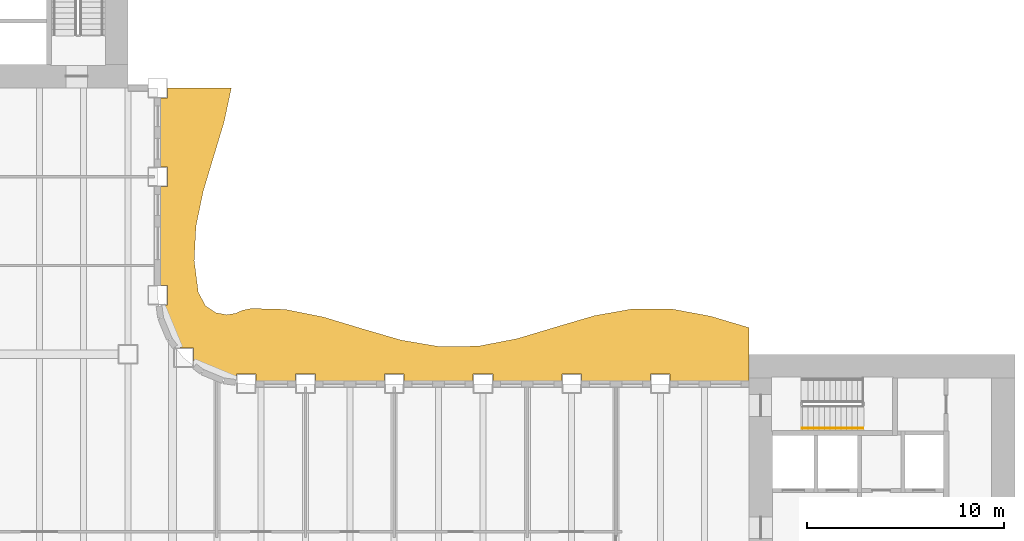
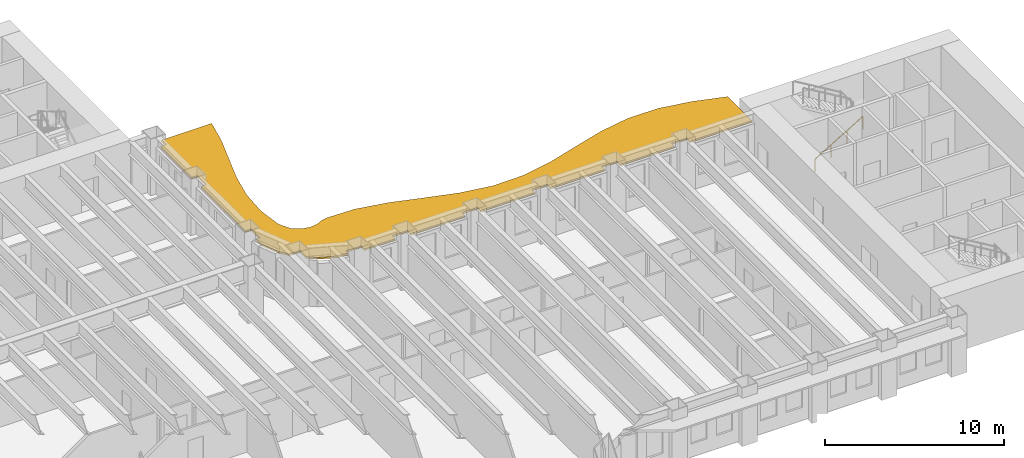
# One storey, part 14 of 16: 1 railing, 1 shading device.
"""IFC4 building model written with IfcOpenShell, lengths in metres."""

from ifc_helpers import new_model, si_unit, direction, frame, origin, origin_2d, place, context, subcontext, project, spatial, polyline, rectangle, outline, extrude, material, layer, layer_set, type_object, element, save


model = new_model("IFC4")

# Units and contexts
model_context = context("Model", 3, precision=1e-05, world=origin(), true_north=direction((0.0, 1.0)))
body_context = subcontext(model_context, "Body", "Model", "MODEL_VIEW")
ifc_project = project(units=[si_unit("LENGTHUNIT", "METRE"), si_unit("AREAUNIT", "SQUARE_METRE"), si_unit("VOLUMEUNIT", "CUBIC_METRE"), si_unit("PLANEANGLEUNIT", "RADIAN"), si_unit("MASSUNIT", "GRAM", prefix="KILO")], contexts=[model_context])

# Site, building, storey
site_placement = place(None, origin())
site = spatial("IfcSite", under=ifc_project, at=site_placement, CompositionType="ELEMENT")
building_placement = place(site_placement, origin())
building = spatial("IfcBuilding", under=site, at=building_placement, Name="Sennacour Bend Tower", CompositionType="ELEMENT")
storey_placement = place(building_placement, frame((0.0, 0.0, 91.0)))
storey = spatial("IfcBuildingStorey", under=building, at=storey_placement, Name="L20", CompositionType="ELEMENT", Elevation=91.0)

# Railing
ifc_material_1 = material(Name="Stainless steel", Category="steel")
railing_type = type_object("IfcRailingType", Name="RL-HANDRAIL-900", PredefinedType="HANDRAIL", material=ifc_material_1)
railing_placement = place(storey_placement, frame((56.699951171875, 18.75, 0.166748046875)))
element("IfcRailing", 1, at=railing_placement, inside=storey, type_object=railing_type, Name="L20 SA2 stair handrail 1", PredefinedType="HANDRAIL", context=body_context, shape_type="SweptSolid", body=[
    extrude(rectangle(XDim=0.048095703125, YDim=0.048095703125, at=origin_2d()), frame((0.0, 0.0, 0.8759765625), z_axis=(0.859308565015, 0.0, 0.511457515432), x_axis=(0.0, 1.0, 0.0)), (0.0, 0.0, 1.0), 3.58447265625),
    extrude(rectangle(XDim=0.0419921875, YDim=0.0419921875, at=origin_2d()), origin(), (0.0, 0.0, 1.0), 0.851806640625),
    extrude(rectangle(XDim=0.0419921875, YDim=0.0419921875, at=origin_2d()), frame((1.026611328125, 0.0, 0.611083984375)), (0.0, 0.0, 1.0), 0.851806640625),
    extrude(rectangle(XDim=0.0419921875, YDim=0.0419921875, at=origin_2d()), frame((2.053466796875, 0.0, 1.22216796875)), (0.0, 0.0, 1.0), 0.851806640625),
    extrude(rectangle(XDim=0.0419921875, YDim=0.0419921875, at=origin_2d()), frame((3.080078125, 0.0, 1.833251953125)), (0.0, 0.0, 1.0), 0.851806640625),
])

# Shading device
ifc_material_2 = material(Name="Bronze anodised aluminium", Category="aluminium")
ifc_layer = layer(ifc_material_2, 0.1201171875, Name="Bronze anodised aluminium", Category="aluminium")
ifc_layer_set = layer_set([ifc_layer], Name="Bronze anodised aluminium")
shading_device_type = type_object("IfcShadingDeviceType", Name="SUNSHADE BAND WAVE", PredefinedType="USERDEFINED", material=ifc_layer_set)
shading_device_placement = place(storey_placement, frame((0.0, 0.0, 3.033935546875)))
element("IfcShadingDevice", 2, at=shading_device_placement, inside=storey, type_object=shading_device_type, Name="Sunshade band L20 concave faces", ObjectType="SUNSHADE", PredefinedType="USERDEFINED", context=body_context, shape_type="SweptSolid", body=[
    extrude(outline(polyline([(54.0, 21.14990234375), (50.0, 21.14990234375), (50.0, 21.5), (49.0, 21.5), (49.0, 21.14990234375), (45.5, 21.14990234375), (45.5, 21.5), (44.5, 21.5), (44.5, 21.14990234375), (41.0, 21.14990234375), (41.0, 21.5), (40.0, 21.5), (40.0, 21.14990234375), (36.5, 21.14990234375), (36.5, 21.5), (35.5, 21.5), (35.5, 21.14990234375), (32.0, 21.14990234375), (32.0, 21.5), (31.0, 21.5), (31.0, 21.14990234375), (29.0, 21.14990234375), (29.0, 21.5), (28.0, 21.5), (28.0, 21.217041015625), (27.37451171875, 21.299560546875), (26.32568359375, 21.73388671875), (25.818115234375, 22.123291015625), (25.818115234375, 22.818115234375), (25.123291015625, 22.818115234375), (24.73388671875, 23.32568359375), (24.299560546875, 24.37451171875), (24.217041015625, 25.0), (24.5, 25.0), (24.5, 26.0), (24.14990234375, 26.0), (24.14990234375, 31.0), (24.5, 31.0), (24.5, 32.0), (24.14990234375, 32.0), (24.14990234375, 35.5), (24.5, 35.5), (24.5, 36.0), (27.738525390625, 36.0), (27.36328125, 34.25), (26.83349609375, 32.5), (26.308837890625, 30.75), (25.947021484375, 29.0), (25.856201171875, 27.25), (26.064208984375, 25.63525390625), (26.4365234375, 24.947021484375), (26.95458984375, 24.60791015625), (27.50244140625, 24.50244140625), (27.966796875, 24.576416015625), (28.293212890625, 24.72802734375), (28.75048828125, 24.82177734375), (30.46142578125, 24.777099609375), (32.423095703125, 24.384521484375), (34.384521484375, 23.79150390625), (36.34619140625, 23.220458984375), (38.3076171875, 22.885498046875), (40.269287109375, 22.912353515625), (42.230712890625, 23.291015625), (44.1923828125, 23.87939453125), (46.15380859375, 24.45654296875), (48.115478515625, 24.806396484375), (50.076904296875, 24.79736328125), (52.03857421875, 24.43310546875), (54.0, 23.85009765625), (54.0, 21.14990234375)])), origin(), (0.0, 0.0, 1.0), 0.1201171875),
])

save(model, "model.ifc")
